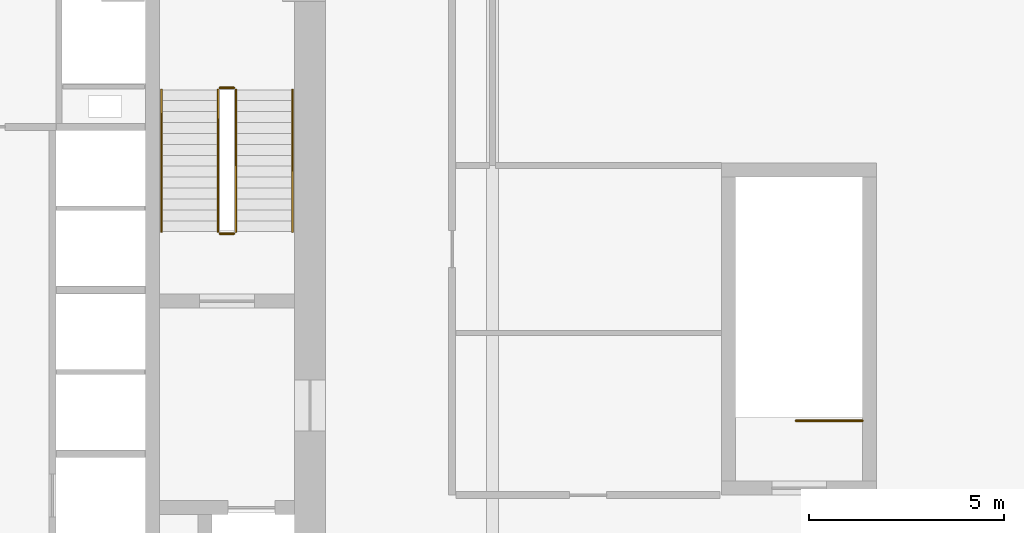
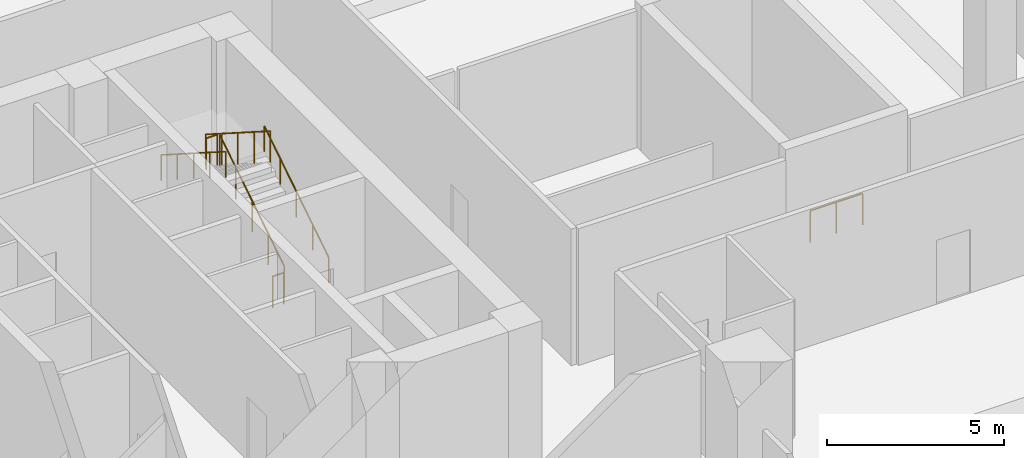
# One storey, part 7 of 8: 7 railings.
"""IFC4 building model written with IfcOpenShell, lengths in metres."""

from ifc_helpers import new_model, si_unit, direction, frame, origin, origin_2d, place, context, subcontext, project, spatial, circle, extrude, source, transform, mapped, material, type_object, element, save


model = new_model("IFC4")

# Units and contexts
model_context = context("Model", 3, precision=1e-05, world=origin(), true_north=direction((0.0, 1.0)))
body_context = subcontext(model_context, "Body", "Model", "MODEL_VIEW")
ifc_project = project(units=[si_unit("LENGTHUNIT", "METRE"), si_unit("AREAUNIT", "SQUARE_METRE"), si_unit("VOLUMEUNIT", "CUBIC_METRE"), si_unit("PLANEANGLEUNIT", "RADIAN"), si_unit("MASSUNIT", "GRAM", prefix="KILO"), si_unit("THERMODYNAMICTEMPERATUREUNIT", "KELVIN")], contexts=[model_context])

# Site, building, storey
site_placement = place(None, origin())
site = spatial("IfcSite", under=ifc_project, at=site_placement, CompositionType="ELEMENT")
building_placement = place(site_placement, origin())
building = spatial("IfcBuilding", under=site, at=building_placement, Name="Kosmvard Interchange Tower", CompositionType="ELEMENT")
storey_placement = place(building_placement, frame((0.0, 0.0, 21.0)))
storey = spatial("IfcBuildingStorey", under=building, at=storey_placement, Name="L04", CompositionType="ELEMENT", Elevation=21.0)

# Railings
ifc_material = material(Name="Steel S355", Category="steel")
railing_type_1 = type_object("IfcRailingType", Name="Stair & Terrace Safety Guardrail 1100 Steel", PredefinedType="GUARDRAIL", material=ifc_material)
shared_shape_1 = source(origin(), body_context, "Body", "SweptSolid", [
    extrude(circle(Radius=0.02392578125, at=origin_2d()), frame((0.0, 0.0, 1.076171875), z_axis=(-1.0, 0.0, 0.0), x_axis=(0.0, -1.0, 0.0)), (0.0, 0.0, 1.0), 0.35986328125),
    extrude(circle(Radius=0.02099609375, at=origin_2d()), origin(), (0.0, 0.0, 1.0), 1.052001953125),
    extrude(circle(Radius=0.02099609375, at=origin_2d()), frame((-0.35986328125, 0.0, 0.0)), (0.0, 0.0, 1.0), 1.052001953125),
])
for number, where, name in (
    (1, (6.449951171875, 5.489990234375, 2.5), "L04 ST-2 stair guard 2"),
    (2, (6.449951171875, 1.75, 0.0), "L04 ST-2 stair guard 4"),
):
    element("IfcRailing", number, at=place(storey_placement, frame(where)), inside=storey, type_object=railing_type_1, Name=name, PredefinedType="GUARDRAIL", context=body_context, shape_type="MappedRepresentation", body=[
        mapped(shared_shape_1, transform((0.0, 0.0, 0.0), scale=1.0)),
    ])
shared_shape_2 = source(origin(), body_context, "Body", "SweptSolid", [
    extrude(circle(Radius=0.02392578125, at=origin_2d()), frame((0.0, 0.0, 1.076171875), z_axis=(0.0, 0.843111507901, 0.53773877045), x_axis=(-1.0, 0.0, 0.0)), (0.0, 0.0, 1.0), 4.317138671875),
    extrude(circle(Radius=0.02099609375, at=origin_2d()), origin(), (0.0, 0.0, 1.0), 1.052001953125),
    extrude(circle(Radius=0.02099609375, at=origin_2d()), frame((0.0, 0.909912109375, 0.580322265625)), (0.0, 0.0, 1.0), 1.052001953125),
    extrude(circle(Radius=0.02099609375, at=origin_2d()), frame((0.0, 1.81982421875, 1.16064453125)), (0.0, 0.0, 1.0), 1.052001953125),
    extrude(circle(Radius=0.02099609375, at=origin_2d()), frame((0.0, 2.72998046875, 1.7412109375)), (0.0, 0.0, 1.0), 1.052001953125),
    extrude(circle(Radius=0.02099609375, at=origin_2d()), frame((0.0, 3.639892578125, 2.321533203125)), (0.0, 0.0, 1.0), 1.052001953125),
])
railing_1_placement = place(storey_placement, frame((6.5, 1.800048828125, 0.178466796875)))
element("IfcRailing", 3, at=railing_1_placement, inside=storey, type_object=railing_type_1, Name="L04 ST-2 stair guard 1", PredefinedType="GUARDRAIL", context=body_context, shape_type="MappedRepresentation", body=[
    mapped(shared_shape_2, transform((0.0, 0.0, 0.0), scale=1.0)),
])
shared_shape_3 = source(origin(), body_context, "Body", "SweptSolid", [
    extrude(circle(Radius=0.02392578125, at=origin_2d()), frame((0.0, 0.0, 1.076171875), z_axis=(0.0, -0.843111507901, 0.53773877045), x_axis=(1.0, 0.0, 0.0)), (0.0, 0.0, 1.0), 4.317138671875),
    extrude(circle(Radius=0.02099609375, at=origin_2d()), origin(), (0.0, 0.0, 1.0), 1.052001953125),
    extrude(circle(Radius=0.02099609375, at=origin_2d()), frame((0.0, -0.909912109375, 0.580322265625)), (0.0, 0.0, 1.0), 1.052001953125),
    extrude(circle(Radius=0.02099609375, at=origin_2d()), frame((0.0, -1.81982421875, 1.16064453125)), (0.0, 0.0, 1.0), 1.052001953125),
    extrude(circle(Radius=0.02099609375, at=origin_2d()), frame((0.0, -2.72998046875, 1.7412109375)), (0.0, 0.0, 1.0), 1.052001953125),
    extrude(circle(Radius=0.02099609375, at=origin_2d()), frame((0.0, -3.639892578125, 2.321533203125)), (0.0, 0.0, 1.0), 1.052001953125),
])
railing_2_placement = place(storey_placement, frame((6.0400390625, 5.43994140625, 2.678466796875)))
element("IfcRailing", 4, at=railing_2_placement, inside=storey, type_object=railing_type_1, Name="L04 ST-2 stair guard 3", PredefinedType="GUARDRAIL", context=body_context, shape_type="MappedRepresentation", body=[
    mapped(shared_shape_3, transform((0.0, 0.0, 0.0), scale=1.0)),
])
railing_type_2 = type_object("IfcRailingType", Name="Wall-Mounted Stair Handrail 900 Steel", PredefinedType="HANDRAIL", material=ifc_material)
shared_shape_4 = source(origin(), body_context, "Body", "SweptSolid", [
    extrude(circle(Radius=0.02392578125, at=origin_2d()), frame((0.0, 0.0, 0.8759765625), z_axis=(0.0, 0.843111507901, 0.53773877045), x_axis=(-1.0, 0.0, 0.0)), (0.0, 0.0, 1.0), 4.317138671875),
    extrude(circle(Radius=0.02099609375, at=origin_2d()), origin(), (0.0, 0.0, 1.0), 0.851806640625),
    extrude(circle(Radius=0.02099609375, at=origin_2d()), frame((0.0, 0.909912109375, 0.580322265625)), (0.0, 0.0, 1.0), 0.851806640625),
    extrude(circle(Radius=0.02099609375, at=origin_2d()), frame((0.0, 1.81982421875, 1.16064453125)), (0.0, 0.0, 1.0), 0.851806640625),
    extrude(circle(Radius=0.02099609375, at=origin_2d()), frame((0.0, 2.72998046875, 1.7412109375)), (0.0, 0.0, 1.0), 0.851806640625),
    extrude(circle(Radius=0.02099609375, at=origin_2d()), frame((0.0, 3.639892578125, 2.321533203125)), (0.0, 0.0, 1.0), 0.851806640625),
])
railing_3_placement = place(storey_placement, frame((7.949951171875, 1.800048828125, 0.178466796875)))
element("IfcRailing", 5, at=railing_3_placement, inside=storey, type_object=railing_type_2, Name="L04 ST-2 stair handrail 1", PredefinedType="HANDRAIL", context=body_context, shape_type="MappedRepresentation", body=[
    mapped(shared_shape_4, transform((0.0, 0.0, 0.0), scale=1.0)),
])
shared_shape_5 = source(origin(), body_context, "Body", "SweptSolid", [
    extrude(circle(Radius=0.02392578125, at=origin_2d()), frame((0.0, 0.0, 0.8759765625), z_axis=(0.0, -0.843111507901, 0.53773877045), x_axis=(1.0, 0.0, 0.0)), (0.0, 0.0, 1.0), 4.317138671875),
    extrude(circle(Radius=0.02099609375, at=origin_2d()), origin(), (0.0, 0.0, 1.0), 0.851806640625),
    extrude(circle(Radius=0.02099609375, at=origin_2d()), frame((0.0, -0.909912109375, 0.580322265625)), (0.0, 0.0, 1.0), 0.851806640625),
    extrude(circle(Radius=0.02099609375, at=origin_2d()), frame((0.0, -1.81982421875, 1.16064453125)), (0.0, 0.0, 1.0), 0.851806640625),
    extrude(circle(Radius=0.02099609375, at=origin_2d()), frame((0.0, -2.72998046875, 1.7412109375)), (0.0, 0.0, 1.0), 0.851806640625),
    extrude(circle(Radius=0.02099609375, at=origin_2d()), frame((0.0, -3.639892578125, 2.321533203125)), (0.0, 0.0, 1.0), 0.851806640625),
])
railing_4_placement = place(storey_placement, frame((4.590087890625, 5.43994140625, 2.678466796875)))
element("IfcRailing", 6, at=railing_4_placement, inside=storey, type_object=railing_type_2, Name="L04 ST-2 stair handrail 2", PredefinedType="HANDRAIL", context=body_context, shape_type="MappedRepresentation", body=[
    mapped(shared_shape_5, transform((0.0, 0.0, 0.0), scale=1.0)),
])
shared_shape_6 = source(origin(), body_context, "Body", "SweptSolid", [
    extrude(circle(Radius=0.02392578125, at=origin_2d()), frame((0.0, 0.0, 1.076171875), z_axis=(-1.0, 0.0, 0.0), x_axis=(0.0, -1.0, 0.0)), (0.0, 0.0, 1.0), 1.7099609375),
    extrude(circle(Radius=0.02099609375, at=origin_2d()), origin(), (0.0, 0.0, 1.0), 1.052001953125),
    extrude(circle(Radius=0.02099609375, at=origin_2d()), frame((-0.85498046875, 0.0, 0.0)), (0.0, 0.0, 1.0), 1.052001953125),
    extrude(circle(Radius=0.02099609375, at=origin_2d()), frame((-1.7099609375, 0.0, 0.0)), (0.0, 0.0, 1.0), 1.052001953125),
])
railing_5_placement = place(storey_placement, frame((22.580078125, -3.050048828125, 0.0)))
element("IfcRailing", 7, at=railing_5_placement, inside=storey, type_object=railing_type_1, Name="L04 ST-4 top well guard 1", PredefinedType="GUARDRAIL", context=body_context, shape_type="MappedRepresentation", body=[
    mapped(shared_shape_6, transform((0.0, 0.0, 0.0), scale=1.0)),
])

save(model, "model.ifc")
